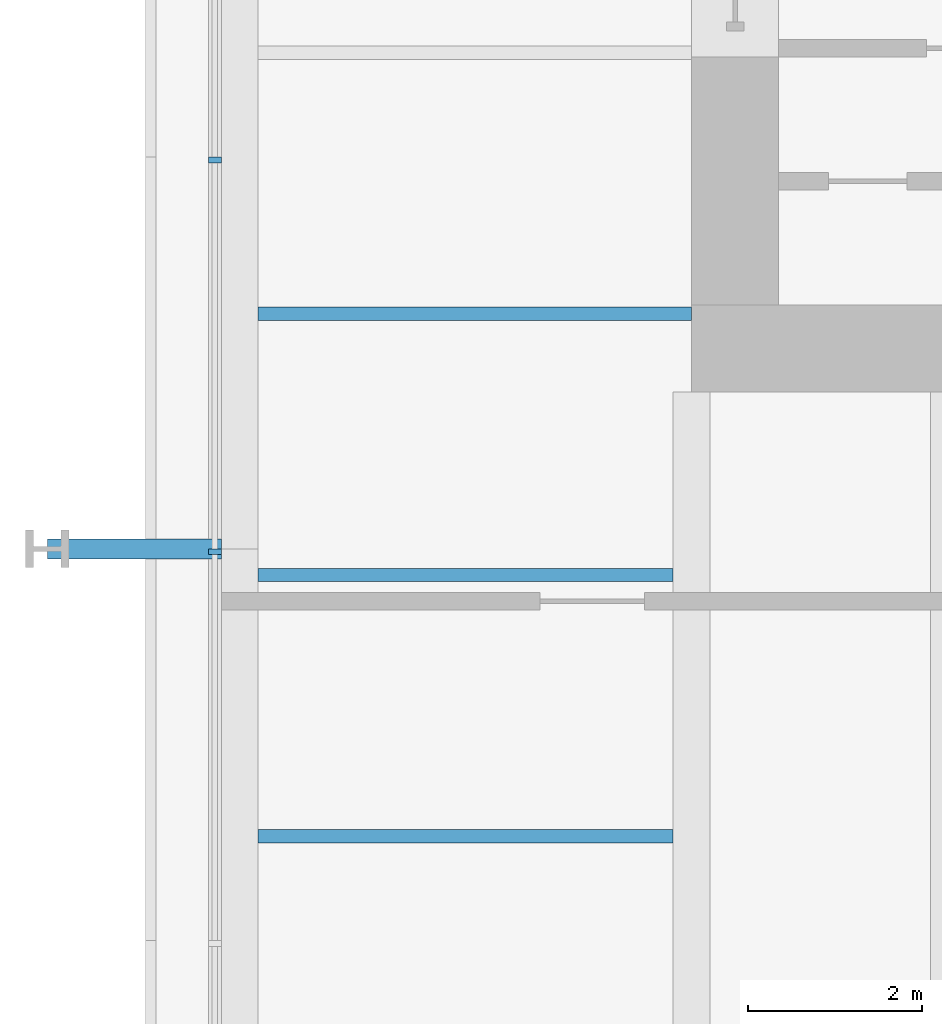
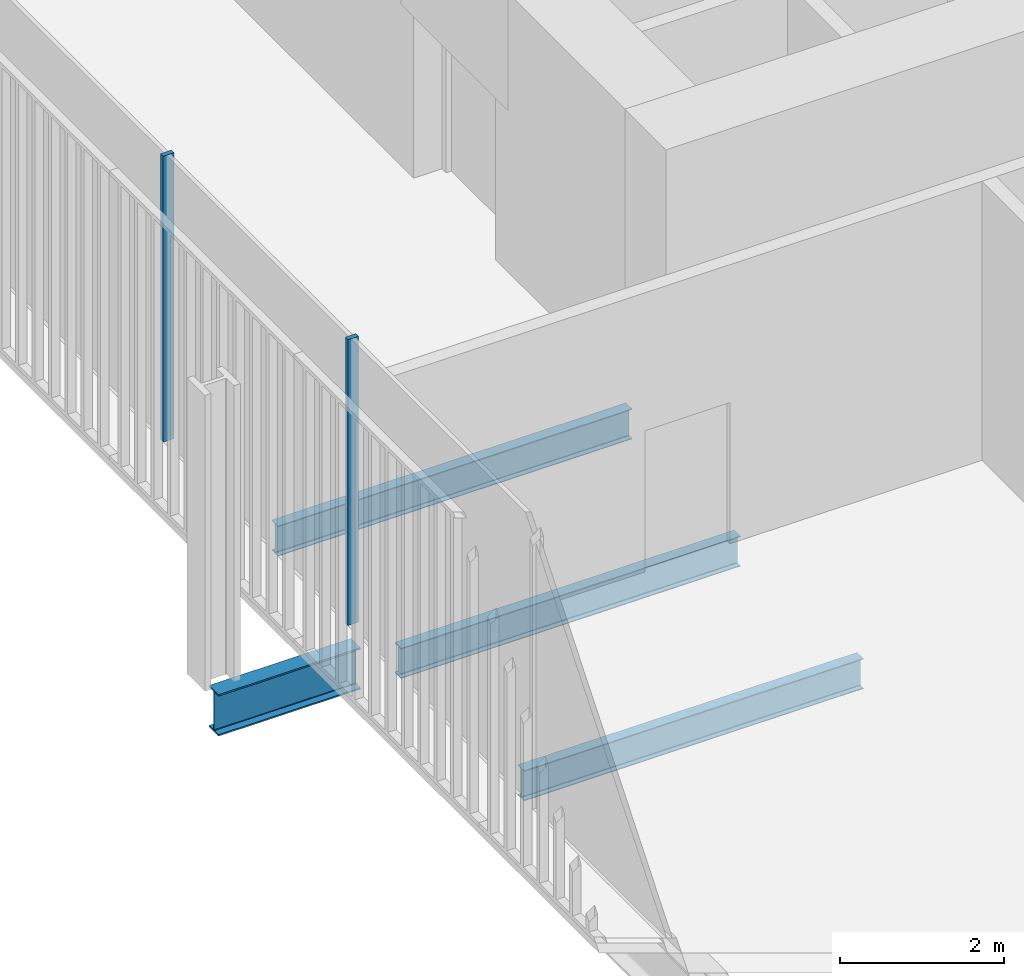
# One storey, part 5 of 20: 4 beams, 2 members, 1 element without a shape of its own.
"""IFC4 building model written with IfcOpenShell, lengths in metres."""

from ifc_helpers import new_model, si_unit, direction, frame, origin, origin_2d, place, context, subcontext, project, spatial, rectangle, i_section, extrude, material, layer, layer_set, material_profile, profile_set, type_object, element, aggregate, save


model = new_model("IFC4")

# Units and contexts
model_context = context("Model", 3, precision=1e-05, world=origin(), true_north=direction((0.0, 1.0)))
body_context = subcontext(model_context, "Body", "Model", "MODEL_VIEW")
ifc_project = project(units=[si_unit("LENGTHUNIT", "METRE"), si_unit("AREAUNIT", "SQUARE_METRE"), si_unit("VOLUMEUNIT", "CUBIC_METRE"), si_unit("PLANEANGLEUNIT", "RADIAN"), si_unit("MASSUNIT", "GRAM", prefix="KILO")], contexts=[model_context])

# Site, building, storey
site_placement = place(None, origin())
site = spatial("IfcSite", under=ifc_project, at=site_placement, CompositionType="ELEMENT")
building_placement = place(site_placement, origin())
building = spatial("IfcBuilding", under=site, at=building_placement, Name="Millrace Tower", CompositionType="ELEMENT")
storey_placement = place(building_placement, frame((0.0, 0.0, 108.39990234375)))
storey = spatial("IfcBuildingStorey", under=building, at=storey_placement, Name="L24", CompositionType="ELEMENT", Elevation=108.39990234375)

# Curtain wall, members
ifc_material_1 = material(Name="Aluminium and glass", Category="aluminium")
ifc_layer = layer(ifc_material_1, 0.14990234375)
ifc_layer_set = layer_set([ifc_layer], Name="Aluminium and glass")
curtain_wall_type = type_object("IfcCurtainWallType", Name="CW-3 telecom floor curtain wall", PredefinedType="NOTDEFINED", material=ifc_layer_set)
curtain_wall_placement = place(storey_placement, origin())
curtain_wall = element("IfcCurtainWall", 1, at=curtain_wall_placement, inside=storey, type_object=curtain_wall_type, Name="Curtain wall B-F08 L24", PredefinedType="NOTDEFINED")
ifc_material_2 = material(Name="Aluminium", Category="aluminium")
ifc_material_profile_1 = material_profile(ifc_material_2, rectangle(XDim=0.06494140625, YDim=0.14990234375, at=origin_2d()))
ifc_profile_set_1 = profile_set([ifc_material_profile_1], Name="Aluminium")
member_type = type_object("IfcMemberType", Name="CW-3 telecom floor curtain wall mullion", PredefinedType="MULLION", material=ifc_profile_set_1)
member_1_placement = place(storey_placement, frame((-20.375, -7.232421875, 0.150146484375), z_axis=(0.0, 0.0, 1.0), x_axis=(0.0, -1.0, 0.0)))
member_1 = element("IfcMember", 2, at=member_1_placement, type_object=member_type, Name="CW3 mullion B-F08.6", PredefinedType="MULLION", context=body_context, shape_type="SweptSolid", body=[
    extrude(rectangle(XDim=0.06494140625, YDim=0.14990234375, at=origin_2d()), origin(), (0.0, 0.0, 1.0), 4.25),
])
member_2_placement = place(storey_placement, frame((-20.375, -11.732421875, 0.150146484375), z_axis=(0.0, 0.0, 1.0), x_axis=(0.0, -1.0, 0.0)))
member_2 = element("IfcMember", 3, at=member_2_placement, type_object=member_type, Name="CW3 mullion B-F08.7", PredefinedType="MULLION", context=body_context, shape_type="SweptSolid", body=[
    extrude(rectangle(XDim=0.06494140625, YDim=0.14990234375, at=origin_2d()), origin(), (0.0, 0.0, 1.0), 4.25),
])
aggregate(curtain_wall, [member_1, member_2])

# Beams
ifc_material_3 = material(Name="Steel ASTM A992 Grade 50", Category="steel")
ifc_material_profile_2 = material_profile(ifc_material_3, i_section(OverallWidth=0.15234375, OverallDepth=0.449462890625, WebThickness=0.007568359375, FlangeThickness=0.0107421875, FilletRadius=0.01025390625, at=origin_2d()))
ifc_profile_set_2 = profile_set([ifc_material_profile_2], Name="Steel ASTM A992 Grade 50")
beam_type_1 = type_object("IfcBeamType", Name="Floor beam W18x35", PredefinedType="JOIST", material=ifc_profile_set_2)
for number, where, z_axis, x_axis, name in (
    (4, (-19.880859375, -15.0, -0.4248046875), (1.0, 0.0, 0.0), (0.0, 1.0, 0.0), "BM-B-L24-S1-S009"),
    (5, (-19.880859375, -12.0, -0.4248046875), (1.0, 0.0, 0.0), (0.0, 1.0, 0.0), "BM-B-L24-S1-S011"),
):
    element("IfcBeam", number, at=place(storey_placement, frame(where, z_axis=z_axis, x_axis=x_axis)), inside=storey, type_object=beam_type_1, Name=name, PredefinedType="JOIST", context=body_context, shape_type="SweptSolid", body=[
        extrude(i_section(OverallWidth=0.15234375, OverallDepth=0.449462890625, WebThickness=0.007568359375, FlangeThickness=0.0107421875, FilletRadius=0.01025390625, at=origin_2d()), origin(), (0.0, 0.0, 1.0), 4.77001953125),
    ])
beam_1_placement = place(storey_placement, frame((-19.880859375, -9.0, -0.4248046875), z_axis=(1.0, 0.0, 0.0), x_axis=(0.0, 1.0, 0.0)))
element("IfcBeam", 6, at=beam_1_placement, inside=storey, type_object=beam_type_1, Name="BM-B-L24-S1-S014", PredefinedType="JOIST", context=body_context, shape_type="SweptSolid", body=[
    extrude(i_section(OverallWidth=0.15234375, OverallDepth=0.449462890625, WebThickness=0.007568359375, FlangeThickness=0.0107421875, FilletRadius=0.01025390625, at=origin_2d()), origin(), (0.0, 0.0, 1.0), 4.98095703125),
])
ifc_material_4 = material(Name="Steel ASTM A992 Grade 50", Category="steel")
ifc_material_profile_3 = material_profile(ifc_material_4, i_section(OverallWidth=0.23046875, OverallDepth=0.6171875, WebThickness=0.01318359375, FlangeThickness=0.022216796875, FilletRadius=0.012939453125, at=origin_2d()))
ifc_profile_set_3 = profile_set([ifc_material_profile_3], Name="Steel ASTM A992 Grade 50")
beam_type_2 = type_object("IfcBeamType", Name="Link beam W24x94", PredefinedType="BEAM", material=ifc_profile_set_3)
beam_2_placement = place(storey_placement, frame((-20.300048828125, -11.699951171875, -0.508544921875), z_axis=(-1.0, 0.0, 0.0), x_axis=(0.0, -1.0, 0.0)))
element("IfcBeam", 7, at=beam_2_placement, inside=storey, type_object=beam_type_2, Name="LNK-B-L24-S1-02", PredefinedType="BEAM", context=body_context, shape_type="SweptSolid", body=[
    extrude(i_section(OverallWidth=0.23046875, OverallDepth=0.6171875, WebThickness=0.01318359375, FlangeThickness=0.022216796875, FilletRadius=0.012939453125, at=origin_2d()), origin(), (0.0, 0.0, 1.0), 2.0),
])

save(model, "model.ifc")
